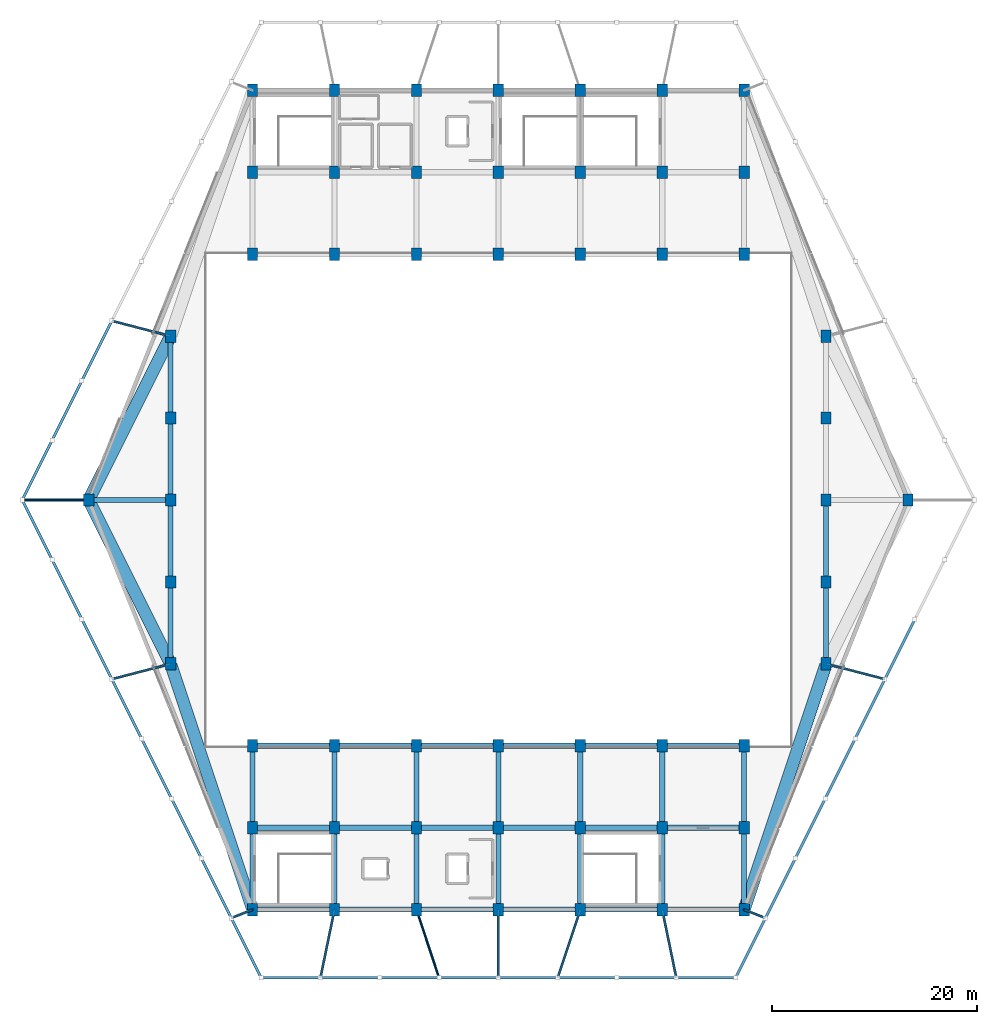
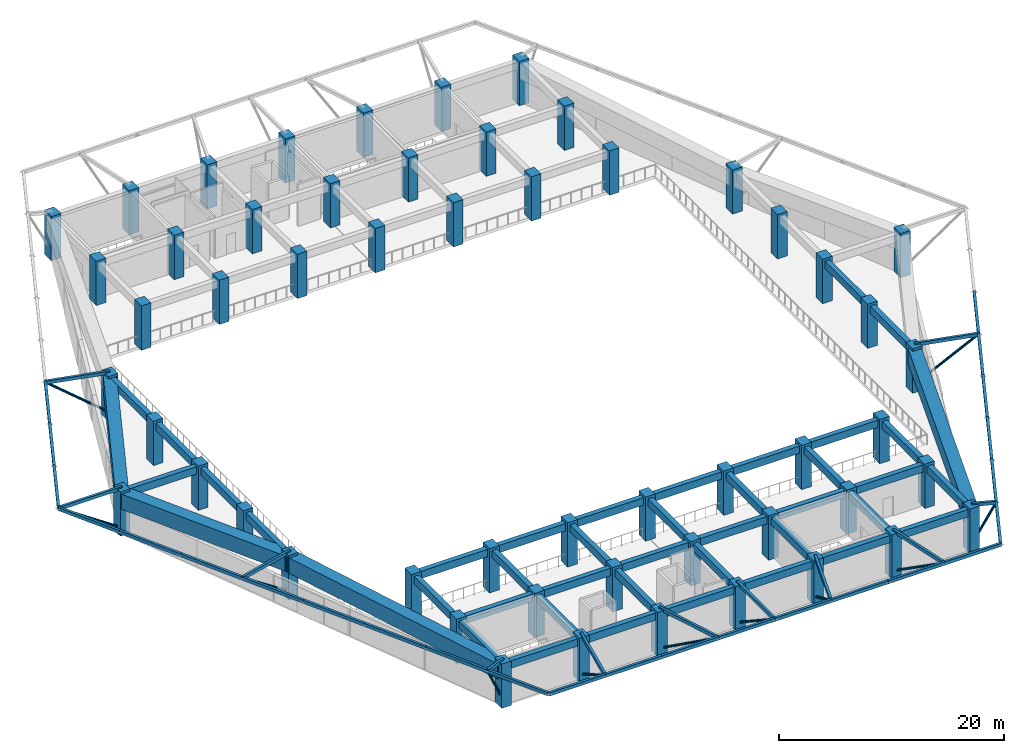
# One storey, part 1 of 9: 54 columns, 47 members, 43 beams.
"""IFC4 building model written with IfcOpenShell, lengths in metres."""

from ifc_helpers import new_model, si_unit, direction, frame, origin, origin_2d, place, context, subcontext, project, spatial, rectangle, hollow_rectangle, hollow_circle, extrude, material, material_profile, profile_set, type_object, element, save


model = new_model("IFC4")

# Units and contexts
model_context = context("Model", 3, precision=1e-05, world=origin(), true_north=direction((0.0, 1.0)))
body_context = subcontext(model_context, "Body", "Model", "MODEL_VIEW")
ifc_project = project(units=[si_unit("LENGTHUNIT", "METRE"), si_unit("AREAUNIT", "SQUARE_METRE"), si_unit("VOLUMEUNIT", "CUBIC_METRE"), si_unit("PLANEANGLEUNIT", "RADIAN"), si_unit("MASSUNIT", "GRAM", prefix="KILO")], contexts=[model_context])

# Site, building, storey
site_placement = place(None, origin())
site = spatial("IfcSite", under=ifc_project, at=site_placement, CompositionType="ELEMENT")
building_placement = place(site_placement, origin())
building = spatial("IfcBuilding", under=site, at=building_placement, Name="Tazarka Park Arena", CompositionType="ELEMENT")
storey_placement = place(building_placement, frame((0.0, 0.0, 24.60009765625)))
storey = spatial("IfcBuildingStorey", under=building, at=storey_placement, Name="L05", CompositionType="ELEMENT", Elevation=24.60009765625)

# Columns
ifc_material_1 = material(Name="Concrete C50/60", Category="concrete")
ifc_material_profile_1 = material_profile(ifc_material_1, rectangle(XDim=1.0, YDim=1.199951171875, at=origin_2d()), Name="Concrete C50/60")
ifc_profile_set_1 = profile_set([ifc_material_profile_1], Name="Concrete C50/60")
column_type_1 = type_object("IfcColumnType", Name="COL-C-04", PredefinedType="COLUMN", material=ifc_profile_set_1)
for number, where, z_axis, x_axis, name in (
    (1, (72.0, 32.0, 0.0), (0.0, 0.0, 1.0), (1.0, 0.0, 0.0), "CLM-L05-09-04"),
    (2, (72.0, 96.0, 0.0), (0.0, 0.0, 1.0), (1.0, 0.0, 0.0), "CLM-L05-09-12"),
    (3, (80.0, 32.0, 0.0), (0.0, 0.0, 1.0), (1.0, 0.0, 0.0), "CLM-L05-10-04"),
    (4, (80.0, 96.0, 0.0), (0.0, 0.0, 1.0), (1.0, 0.0, 0.0), "CLM-L05-10-12"),
    (5, (88.0, 32.0, 0.0), (0.0, 0.0, 1.0), (1.0, 0.0, 0.0), "CLM-L05-11-04"),
    (6, (88.0, 96.0, 0.0), (0.0, 0.0, 1.0), (1.0, 0.0, 0.0), "CLM-L05-11-12"),
    (7, (96.0, 32.0, 0.0), (0.0, 0.0, 1.0), (1.0, 0.0, 0.0), "CLM-L05-12-04"),
    (8, (96.0, 96.0, 0.0), (0.0, 0.0, 1.0), (1.0, 0.0, 0.0), "CLM-L05-12-12"),
    (9, (104.0, 32.0, 0.0), (0.0, 0.0, 1.0), (1.0, 0.0, 0.0), "CLM-L05-13-04"),
    (10, (104.0, 96.0, 0.0), (0.0, 0.0, 1.0), (1.0, 0.0, 0.0), "CLM-L05-13-12"),
):
    element("IfcColumn", number, at=place(storey_placement, frame(where, z_axis=z_axis, x_axis=x_axis)), inside=storey, type_object=column_type_1, Name=name, PredefinedType="COLUMN", context=body_context, shape_type="SweptSolid", body=[
        extrude(rectangle(XDim=1.0, YDim=1.199951171875, at=origin_2d()), origin(), (0.0, 0.0, 1.0), 4.7998046875),
    ])
ifc_material_2 = material(Name="Concrete C50/60", Category="concrete")
ifc_material_profile_2 = material_profile(ifc_material_2, rectangle(XDim=1.0, YDim=1.199951171875, at=origin_2d()), Name="Concrete C50/60")
ifc_profile_set_2 = profile_set([ifc_material_profile_2], Name="Concrete C50/60")
column_type_2 = type_object("IfcColumnType", Name="COL-C-07", PredefinedType="COLUMN", material=ifc_profile_set_2)
for number, where, z_axis, x_axis, name in (
    (11, (48.0, 64.0, 0.0), (0.0, 0.0, 1.0), (1.0, 0.0, 0.0), "CLM-L05-06-08"),
    (12, (56.0, 48.0, 0.0), (0.0, 0.0, 1.0), (1.0, 0.0, 0.0), "CLM-L05-07-06"),
    (13, (56.0, 56.0, 0.0), (0.0, 0.0, 1.0), (1.0, 0.0, 0.0), "CLM-L05-07-07"),
    (14, (56.0, 64.0, 0.0), (0.0, 0.0, 1.0), (1.0, 0.0, 0.0), "CLM-L05-07-08"),
    (15, (56.0, 72.0, 0.0), (0.0, 0.0, 1.0), (1.0, 0.0, 0.0), "CLM-L05-07-09"),
    (16, (56.0, 80.0, 0.0), (0.0, 0.0, 1.0), (1.0, 0.0, 0.0), "CLM-L05-07-10"),
    (17, (64.0, 24.0, 0.0), (0.0, 0.0, 1.0), (1.0, 0.0, 0.0), "CLM-L05-08-03"),
    (18, (64.0, 32.0, 0.0), (0.0, 0.0, 1.0), (1.0, 0.0, 0.0), "CLM-L05-08-04"),
    (19, (64.0, 40.0, 0.0), (0.0, 0.0, 1.0), (1.0, 0.0, 0.0), "CLM-L05-08-05"),
    (20, (64.0, 88.0, 0.0), (0.0, 0.0, 1.0), (1.0, 0.0, 0.0), "CLM-L05-08-11"),
    (21, (64.0, 96.0, 0.0), (0.0, 0.0, 1.0), (1.0, 0.0, 0.0), "CLM-L05-08-12"),
    (22, (64.0, 104.0, 0.0), (0.0, 0.0, 1.0), (1.0, 0.0, 0.0), "CLM-L05-08-13"),
    (23, (72.0, 24.0, 0.0), (0.0, 0.0, 1.0), (1.0, 0.0, 0.0), "CLM-L05-09-03"),
    (24, (72.0, 40.0, 0.0), (0.0, 0.0, 1.0), (1.0, 0.0, 0.0), "CLM-L05-09-05"),
    (25, (72.0, 88.0, 0.0), (0.0, 0.0, 1.0), (1.0, 0.0, 0.0), "CLM-L05-09-11"),
    (26, (72.0, 104.0, 0.0), (0.0, 0.0, 1.0), (1.0, 0.0, 0.0), "CLM-L05-09-13"),
    (27, (80.0, 24.0, 0.0), (0.0, 0.0, 1.0), (1.0, 0.0, 0.0), "CLM-L05-10-03"),
    (28, (80.0, 40.0, 0.0), (0.0, 0.0, 1.0), (1.0, 0.0, 0.0), "CLM-L05-10-05"),
    (29, (80.0, 88.0, 0.0), (0.0, 0.0, 1.0), (1.0, 0.0, 0.0), "CLM-L05-10-11"),
    (30, (80.0, 104.0, 0.0), (0.0, 0.0, 1.0), (1.0, 0.0, 0.0), "CLM-L05-10-13"),
    (31, (88.0, 24.0, 0.0), (0.0, 0.0, 1.0), (1.0, 0.0, 0.0), "CLM-L05-11-03"),
    (32, (88.0, 40.0, 0.0), (0.0, 0.0, 1.0), (1.0, 0.0, 0.0), "CLM-L05-11-05"),
    (33, (88.0, 88.0, 0.0), (0.0, 0.0, 1.0), (1.0, 0.0, 0.0), "CLM-L05-11-11"),
    (34, (88.0, 104.0, 0.0), (0.0, 0.0, 1.0), (1.0, 0.0, 0.0), "CLM-L05-11-13"),
    (35, (96.0, 24.0, 0.0), (0.0, 0.0, 1.0), (1.0, 0.0, 0.0), "CLM-L05-12-03"),
    (36, (96.0, 40.0, 0.0), (0.0, 0.0, 1.0), (1.0, 0.0, 0.0), "CLM-L05-12-05"),
    (37, (96.0, 88.0, 0.0), (0.0, 0.0, 1.0), (1.0, 0.0, 0.0), "CLM-L05-12-11"),
    (38, (96.0, 104.0, 0.0), (0.0, 0.0, 1.0), (1.0, 0.0, 0.0), "CLM-L05-12-13"),
    (39, (104.0, 24.0, 0.0), (0.0, 0.0, 1.0), (1.0, 0.0, 0.0), "CLM-L05-13-03"),
    (40, (104.0, 40.0, 0.0), (0.0, 0.0, 1.0), (1.0, 0.0, 0.0), "CLM-L05-13-05"),
    (41, (104.0, 88.0, 0.0), (0.0, 0.0, 1.0), (1.0, 0.0, 0.0), "CLM-L05-13-11"),
    (42, (104.0, 104.0, 0.0), (0.0, 0.0, 1.0), (1.0, 0.0, 0.0), "CLM-L05-13-13"),
    (43, (112.0, 24.0, 0.0), (0.0, 0.0, 1.0), (1.0, 0.0, 0.0), "CLM-L05-14-03"),
    (44, (112.0, 32.0, 0.0), (0.0, 0.0, 1.0), (1.0, 0.0, 0.0), "CLM-L05-14-04"),
    (45, (112.0, 40.0, 0.0), (0.0, 0.0, 1.0), (1.0, 0.0, 0.0), "CLM-L05-14-05"),
    (46, (112.0, 88.0, 0.0), (0.0, 0.0, 1.0), (1.0, 0.0, 0.0), "CLM-L05-14-11"),
    (47, (112.0, 96.0, 0.0), (0.0, 0.0, 1.0), (1.0, 0.0, 0.0), "CLM-L05-14-12"),
    (48, (112.0, 104.0, 0.0), (0.0, 0.0, 1.0), (1.0, 0.0, 0.0), "CLM-L05-14-13"),
    (49, (120.0, 48.0, 0.0), (0.0, 0.0, 1.0), (1.0, 0.0, 0.0), "CLM-L05-15-06"),
    (50, (120.0, 56.0, 0.0), (0.0, 0.0, 1.0), (1.0, 0.0, 0.0), "CLM-L05-15-07"),
    (51, (120.0, 64.0, 0.0), (0.0, 0.0, 1.0), (1.0, 0.0, 0.0), "CLM-L05-15-08"),
    (52, (120.0, 72.0, 0.0), (0.0, 0.0, 1.0), (1.0, 0.0, 0.0), "CLM-L05-15-09"),
    (53, (120.0, 80.0, 0.0), (0.0, 0.0, 1.0), (1.0, 0.0, 0.0), "CLM-L05-15-10"),
    (54, (128.0, 64.0, 0.0), (0.0, 0.0, 1.0), (1.0, 0.0, 0.0), "CLM-L05-16-08"),
):
    element("IfcColumn", number, at=place(storey_placement, frame(where, z_axis=z_axis, x_axis=x_axis)), inside=storey, type_object=column_type_2, Name=name, PredefinedType="COLUMN", context=body_context, shape_type="SweptSolid", body=[
        extrude(rectangle(XDim=1.0, YDim=1.199951171875, at=origin_2d()), origin(), (0.0, 0.0, 1.0), 4.7998046875),
    ])

# Beams
ifc_material_3 = material(Name="Concrete C40/50", Category="concrete")
ifc_material_profile_3 = material_profile(ifc_material_3, rectangle(XDim=0.5, YDim=0.800048828125, at=origin_2d()), Name="Concrete C40/50")
ifc_profile_set_3 = profile_set([ifc_material_profile_3], Name="Concrete C40/50")
beam_type_1 = type_object("IfcBeamType", Name="BM-B-02", PredefinedType="BEAM", material=ifc_profile_set_3)
for number, where, z_axis, x_axis, name in (
    (55, (64.1201171875, 32.0, 4.1298828125), (1.0, 0.0, 0.0), (0.0, 1.0, 0.0), "GXM-L05-08-04"),
    (56, (72.0, 24.1201171875, 4.1298828125), (0.0, 1.0, 0.0), (-1.0, 0.0, 0.0), "GYM-L05-09-03"),
    (57, (72.1201171875, 32.0, 4.1298828125), (1.0, 0.0, 0.0), (0.0, 1.0, 0.0), "GXM-L05-09-04"),
    (58, (72.0, 32.1201171875, 4.1298828125), (0.0, 1.0, 0.0), (-1.0, 0.0, 0.0), "GYM-L05-09-04"),
    (59, (80.0, 24.1201171875, 4.1298828125), (0.0, 1.0, 0.0), (-1.0, 0.0, 0.0), "GYM-L05-10-03"),
    (60, (80.1201171875, 32.0, 4.1298828125), (1.0, 0.0, 0.0), (0.0, 1.0, 0.0), "GXM-L05-10-04"),
    (61, (80.0, 32.1201171875, 4.1298828125), (0.0, 1.0, 0.0), (-1.0, 0.0, 0.0), "GYM-L05-10-04"),
    (62, (88.0, 24.1201171875, 4.1298828125), (0.0, 1.0, 0.0), (-1.0, 0.0, 0.0), "GYM-L05-11-03"),
    (63, (88.1201171875, 32.0, 4.1298828125), (1.0, 0.0, 0.0), (0.0, 1.0, 0.0), "GXM-L05-11-04"),
    (64, (88.0, 32.1201171875, 4.1298828125), (0.0, 1.0, 0.0), (-1.0, 0.0, 0.0), "GYM-L05-11-04"),
    (65, (96.0, 24.1201171875, 4.1298828125), (0.0, 1.0, 0.0), (-1.0, 0.0, 0.0), "GYM-L05-12-03"),
    (66, (96.1201171875, 32.0, 4.1298828125), (1.0, 0.0, 0.0), (0.0, 1.0, 0.0), "GXM-L05-12-04"),
    (67, (96.0, 32.1201171875, 4.1298828125), (0.0, 1.0, 0.0), (-1.0, 0.0, 0.0), "GYM-L05-12-04"),
    (68, (104.0, 24.1201171875, 4.1298828125), (0.0, 1.0, 0.0), (-1.0, 0.0, 0.0), "GYM-L05-13-03"),
    (69, (104.1201171875, 32.0, 4.1298828125), (1.0, 0.0, 0.0), (0.0, 1.0, 0.0), "GXM-L05-13-04"),
    (70, (104.0, 32.1201171875, 4.1298828125), (0.0, 1.0, 0.0), (-1.0, 0.0, 0.0), "GYM-L05-13-04"),
):
    element("IfcBeam", number, at=place(storey_placement, frame(where, z_axis=z_axis, x_axis=x_axis)), inside=storey, type_object=beam_type_1, Name=name, PredefinedType="BEAM", context=body_context, shape_type="SweptSolid", body=[
        extrude(rectangle(XDim=0.5, YDim=0.800048828125, at=origin_2d()), origin(), (0.0, 0.0, 1.0), 7.759765625),
    ])
ifc_material_4 = material(Name="Concrete C50/60", Category="concrete")
ifc_material_profile_4 = material_profile(ifc_material_4, rectangle(XDim=1.199951171875, YDim=1.64990234375, at=origin_2d()), Name="Concrete C50/60")
ifc_profile_set_4 = profile_set([ifc_material_profile_4], Name="Concrete C50/60")
beam_type_2 = type_object("IfcBeamType", Name="BM-RNG-02", PredefinedType="BEAM", material=ifc_profile_set_4)
beam_1_placement = place(storey_placement, frame((112.037841796875, 24.11376953125, 3.704833984375), z_axis=(0.316233611724, 0.948681349461, 0.0), x_axis=(-0.948681349461, 0.316233611724, 0.0)))
element("IfcBeam", 71, at=beam_1_placement, inside=storey, type_object=beam_type_2, Name="RING BEAM RNG-02-L05-07", PredefinedType="BEAM", context=body_context, shape_type="SweptSolid", body=[
    extrude(rectangle(XDim=1.199951171875, YDim=1.64990234375, at=origin_2d()), origin(), (0.0, 0.0, 1.0), 25.058349609375),
])
for number, where, z_axis, x_axis, name in (
    (72, (55.9462890625, 79.892578125, 3.704833984375), (-0.4472135955, -0.894427191, 0.0), (0.894427191, -0.4472135955, 0.0), "RING BEAM RNG-02-L05-18"),
    (73, (48.0537109375, 63.892578125, 3.704833984375), (0.4472135955, -0.894427191, 0.0), (0.894427191, 0.4472135955, 0.0), "RING BEAM RNG-02-L05-19"),
):
    element("IfcBeam", number, at=place(storey_placement, frame(where, z_axis=z_axis, x_axis=x_axis)), inside=storey, type_object=beam_type_2, Name=name, PredefinedType="BEAM", context=body_context, shape_type="SweptSolid", body=[
        extrude(rectangle(XDim=1.199951171875, YDim=1.64990234375, at=origin_2d()), origin(), (0.0, 0.0, 1.0), 17.6484375),
    ])
beam_2_placement = place(storey_placement, frame((56.037841796875, 47.88623046875, 3.704833984375), z_axis=(0.316233611724, -0.948681349461, 0.0), x_axis=(0.948681349461, 0.316233611724, 0.0)))
element("IfcBeam", 74, at=beam_2_placement, inside=storey, type_object=beam_type_2, Name="RING BEAM RNG-02-L05-20", PredefinedType="BEAM", context=body_context, shape_type="SweptSolid", body=[
    extrude(rectangle(XDim=1.199951171875, YDim=1.64990234375, at=origin_2d()), origin(), (0.0, 0.0, 1.0), 25.058349609375),
])
ifc_material_5 = material(Name="Concrete C40/50", Category="concrete")
ifc_material_profile_5 = material_profile(ifc_material_5, rectangle(XDim=0.5, YDim=0.800048828125, at=origin_2d()), Name="Concrete C40/50")
ifc_profile_set_5 = profile_set([ifc_material_profile_5], Name="Concrete C40/50")
beam_type_3 = type_object("IfcBeamType", Name="BM-SP-01", PredefinedType="SPANDREL", material=ifc_profile_set_5)
for number, where, z_axis, x_axis, name in (
    (75, (48.1201171875, 64.0, 4.1298828125), (1.0, 0.0, 0.0), (0.0, 1.0, 0.0), "GXM-L05-06-08"),
    (76, (56.0, 48.1201171875, 4.1298828125), (0.0, 1.0, 0.0), (-1.0, 0.0, 0.0), "GYM-L05-07-06"),
    (77, (56.0, 56.1201171875, 4.1298828125), (0.0, 1.0, 0.0), (-1.0, 0.0, 0.0), "GYM-L05-07-07"),
    (78, (56.0, 64.1201171875, 4.1298828125), (0.0, 1.0, 0.0), (-1.0, 0.0, 0.0), "GYM-L05-07-08"),
    (79, (56.0, 72.1201171875, 4.1298828125), (0.0, 1.0, 0.0), (-1.0, 0.0, 0.0), "GYM-L05-07-09"),
    (80, (64.1201171875, 24.0, 4.1298828125), (1.0, 0.0, 0.0), (0.0, 1.0, 0.0), "GXM-L05-08-03"),
    (81, (64.0, 24.1201171875, 4.1298828125), (0.0, 1.0, 0.0), (-1.0, 0.0, 0.0), "GYM-L05-08-03"),
    (82, (64.0, 32.1201171875, 4.1298828125), (0.0, 1.0, 0.0), (-1.0, 0.0, 0.0), "GYM-L05-08-04"),
    (83, (64.1201171875, 40.0, 4.1298828125), (1.0, 0.0, 0.0), (0.0, 1.0, 0.0), "GXM-L05-08-05"),
    (84, (72.1201171875, 24.0, 4.1298828125), (1.0, 0.0, 0.0), (0.0, 1.0, 0.0), "GXM-L05-09-03"),
    (85, (72.1201171875, 40.0, 4.1298828125), (1.0, 0.0, 0.0), (0.0, 1.0, 0.0), "GXM-L05-09-05"),
    (86, (80.1201171875, 24.0, 4.1298828125), (1.0, 0.0, 0.0), (0.0, 1.0, 0.0), "GXM-L05-10-03"),
    (87, (80.1201171875, 40.0, 4.1298828125), (1.0, 0.0, 0.0), (0.0, 1.0, 0.0), "GXM-L05-10-05"),
    (88, (88.1201171875, 24.0, 4.1298828125), (1.0, 0.0, 0.0), (0.0, 1.0, 0.0), "GXM-L05-11-03"),
    (89, (88.1201171875, 40.0, 4.1298828125), (1.0, 0.0, 0.0), (0.0, 1.0, 0.0), "GXM-L05-11-05"),
    (90, (96.1201171875, 24.0, 4.1298828125), (1.0, 0.0, 0.0), (0.0, 1.0, 0.0), "GXM-L05-12-03"),
    (91, (96.1201171875, 40.0, 4.1298828125), (1.0, 0.0, 0.0), (0.0, 1.0, 0.0), "GXM-L05-12-05"),
    (92, (104.1201171875, 24.0, 4.1298828125), (1.0, 0.0, 0.0), (0.0, 1.0, 0.0), "GXM-L05-13-03"),
    (93, (104.1201171875, 40.0, 4.1298828125), (1.0, 0.0, 0.0), (0.0, 1.0, 0.0), "GXM-L05-13-05"),
    (94, (112.0, 24.1201171875, 4.1298828125), (0.0, 1.0, 0.0), (-1.0, 0.0, 0.0), "GYM-L05-14-03"),
    (95, (112.0, 32.1201171875, 4.1298828125), (0.0, 1.0, 0.0), (-1.0, 0.0, 0.0), "GYM-L05-14-04"),
    (96, (120.0, 48.1201171875, 4.1298828125), (0.0, 1.0, 0.0), (-1.0, 0.0, 0.0), "GYM-L05-15-06"),
    (97, (120.0, 56.1201171875, 4.1298828125), (0.0, 1.0, 0.0), (-1.0, 0.0, 0.0), "GYM-L05-15-07"),
):
    element("IfcBeam", number, at=place(storey_placement, frame(where, z_axis=z_axis, x_axis=x_axis)), inside=storey, type_object=beam_type_3, Name=name, PredefinedType="SPANDREL", context=body_context, shape_type="SweptSolid", body=[
        extrude(rectangle(XDim=0.5, YDim=0.800048828125, at=origin_2d()), origin(), (0.0, 0.0, 1.0), 7.759765625),
    ])

# Members
ifc_material_6 = material(Name="Steel S355", Category="steel")
ifc_material_profile_6 = material_profile(ifc_material_6, hollow_circle(Radius=0.122314453125, WallThickness=0.012451171875, at=origin_2d()), Name="Steel S355")
ifc_profile_set_6 = profile_set([ifc_material_profile_6], Name="Steel S355")
member_type_1 = type_object("IfcMemberType", Name="MEM-BR-05", PredefinedType="BRACE", material=ifc_profile_set_6)
member_1_placement = place(storey_placement, frame((64.0, 24.0, 0.39990234375), z_axis=(-0.423067237342, -0.166228037862, 0.890720131195), x_axis=(0.365696304719, -0.930734233127, 0.0)))
element("IfcMember", 98, at=member_1_placement, inside=storey, type_object=member_type_1, Name="FTK-00", PredefinedType="BRACE", context=body_context, shape_type="SweptSolid", body=[
    extrude(hollow_circle(Radius=0.122314453125, WallThickness=0.012451171875, at=origin_2d()), origin(), (0.0, 0.0, 1.0), 4.917236328125),
])
member_2_placement = place(storey_placement, frame((72.0, 24.0, 0.39990234375), z_axis=(-0.170006896671, -0.822928869006, 0.54211228693), x_axis=(0.979320406863, -0.2023154485, 0.0)))
element("IfcMember", 99, at=member_2_placement, inside=storey, type_object=member_type_1, Name="FTK-01", PredefinedType="BRACE", context=body_context, shape_type="SweptSolid", body=[
    extrude(hollow_circle(Radius=0.122314453125, WallThickness=0.012451171875, at=origin_2d()), origin(), (0.0, 0.0, 1.0), 8.079345703125),
])
member_3_placement = place(storey_placement, frame((80.0, 24.0, 0.39990234375), z_axis=(0.2673250352, -0.804693565117, 0.530099605559), x_axis=(0.949003407996, 0.315265811043, 0.0)))
element("IfcMember", 100, at=member_3_placement, inside=storey, type_object=member_type_1, Name="FTK-02", PredefinedType="BRACE", context=body_context, shape_type="SweptSolid", body=[
    extrude(hollow_circle(Radius=0.122314453125, WallThickness=0.012451171875, at=origin_2d()), origin(), (0.0, 0.0, 1.0), 8.262451171875),
])
member_4_placement = place(storey_placement, frame((88.0, 24.0, 0.39990234375), z_axis=(0.0, -0.835085312319, 0.550120460581), x_axis=(1.0, 0.0, 0.0)))
element("IfcMember", 101, at=member_4_placement, inside=storey, type_object=member_type_1, Name="FTK-03", PredefinedType="BRACE", context=body_context, shape_type="SweptSolid", body=[
    extrude(hollow_circle(Radius=0.122314453125, WallThickness=0.012451171875, at=origin_2d()), origin(), (0.0, 0.0, 1.0), 7.961669921875),
])
member_5_placement = place(storey_placement, frame((96.0, 24.0, 0.39990234375), z_axis=(-0.2673250352, -0.804693565117, 0.530099605559), x_axis=(0.949003407996, -0.315265811043, 0.0)))
element("IfcMember", 102, at=member_5_placement, inside=storey, type_object=member_type_1, Name="FTK-04", PredefinedType="BRACE", context=body_context, shape_type="SweptSolid", body=[
    extrude(hollow_circle(Radius=0.122314453125, WallThickness=0.012451171875, at=origin_2d()), origin(), (0.0, 0.0, 1.0), 8.262451171875),
])
member_6_placement = place(storey_placement, frame((104.0, 24.0, 0.39990234375), z_axis=(0.170006896671, -0.822928869006, 0.54211228693), x_axis=(0.979320406863, 0.2023154485, 0.0)))
element("IfcMember", 103, at=member_6_placement, inside=storey, type_object=member_type_1, Name="FTK-05", PredefinedType="BRACE", context=body_context, shape_type="SweptSolid", body=[
    extrude(hollow_circle(Radius=0.122314453125, WallThickness=0.012451171875, at=origin_2d()), origin(), (0.0, 0.0, 1.0), 8.079345703125),
])
member_7_placement = place(storey_placement, frame((112.0, 24.0, 0.39990234375), z_axis=(0.423067237342, -0.166228037862, 0.890720131195), x_axis=(0.365696304719, 0.930734233127, 0.0)))
element("IfcMember", 104, at=member_7_placement, inside=storey, type_object=member_type_1, Name="FTK-06", PredefinedType="BRACE", context=body_context, shape_type="SweptSolid", body=[
    extrude(hollow_circle(Radius=0.122314453125, WallThickness=0.012451171875, at=origin_2d()), origin(), (0.0, 0.0, 1.0), 4.917236328125),
])
for number, where, z_axis, x_axis, name in (
    (105, (120.0, 48.0, 0.39990234375), (0.778650485414, -0.202467002627, 0.593894379845), (0.251654664133, 0.967817095334, 0.0), "FTK-07"),
    (106, (56.0, 80.0, 0.39990234375), (-0.778650485414, 0.202467002627, 0.593894379845), (-0.251654664133, -0.967817095334, 0.0), "FTK-17"),
):
    element("IfcMember", number, at=place(storey_placement, frame(where, z_axis=z_axis, x_axis=x_axis)), inside=storey, type_object=member_type_1, Name=name, PredefinedType="BRACE", context=body_context, shape_type="SweptSolid", body=[
        extrude(hollow_circle(Radius=0.122314453125, WallThickness=0.012451171875, at=origin_2d()), origin(), (0.0, 0.0, 1.0), 7.374755859375),
    ])
member_8_placement = place(storey_placement, frame((48.0, 64.0, 0.39990234375), z_axis=(-0.828860604179, 0.0, 0.559455180367), x_axis=(0.0, -1.0, 0.0)))
element("IfcMember", 107, at=member_8_placement, inside=storey, type_object=member_type_1, Name="FTK-18", PredefinedType="BRACE", context=body_context, shape_type="SweptSolid", body=[
    extrude(hollow_circle(Radius=0.122314453125, WallThickness=0.012451171875, at=origin_2d()), origin(), (0.0, 0.0, 1.0), 7.828857421875),
])
member_9_placement = place(storey_placement, frame((56.0, 48.0, 0.39990234375), z_axis=(-0.778650485414, -0.202467002627, 0.593894379845), x_axis=(0.251654664133, -0.967817095334, 0.0)))
element("IfcMember", 108, at=member_9_placement, inside=storey, type_object=member_type_1, Name="FTK-19", PredefinedType="BRACE", context=body_context, shape_type="SweptSolid", body=[
    extrude(hollow_circle(Radius=0.122314453125, WallThickness=0.012451171875, at=origin_2d()), origin(), (0.0, 0.0, 1.0), 7.374755859375),
])
ifc_material_7 = material(Name="Steel S460", Category="steel")
ifc_material_profile_7 = material_profile(ifc_material_7, hollow_rectangle(XDim=0.25, YDim=0.35009765625, WallThickness=0.012451171875, at=origin_2d()), Name="Steel S460")
ifc_profile_set_7 = profile_set([ifc_material_profile_7], Name="Steel S460")
member_type_2 = type_object("IfcMemberType", Name="MEM-SR-04", PredefinedType="STRUT", material=ifc_profile_set_7)
member_10_placement = place(storey_placement, frame((64.835205078125, 17.351318359375, 4.77978515625), z_axis=(1.0, 0.0, 0.0), x_axis=(0.0, 1.0, 0.0)))
element("IfcMember", 109, at=member_10_placement, inside=storey, type_object=member_type_2, Name="GMT-00", PredefinedType="STRUT", context=body_context, shape_type="SweptSolid", body=[
    extrude(hollow_rectangle(XDim=0.25, YDim=0.35009765625, WallThickness=0.012451171875, at=origin_2d()), origin(), (0.0, 0.0, 1.0), 5.791259765625),
])
member_11_placement = place(storey_placement, frame((70.62646484375, 17.351318359375, 4.77978515625), z_axis=(1.0, 0.0, 0.0), x_axis=(0.0, 1.0, 0.0)))
element("IfcMember", 110, at=member_11_placement, inside=storey, type_object=member_type_2, Name="GMT-01", PredefinedType="STRUT", context=body_context, shape_type="SweptSolid", body=[
    extrude(hollow_rectangle(XDim=0.25, YDim=0.35009765625, WallThickness=0.012451171875, at=origin_2d()), origin(), (0.0, 0.0, 1.0), 5.791015625),
])
for number, where, z_axis, x_axis, name in (
    (111, (76.41748046875, 17.351318359375, 4.77978515625), (1.0, 0.0, 0.0), (0.0, 1.0, 0.0), "GMT-02"),
    (112, (82.208740234375, 17.351318359375, 4.77978515625), (1.0, 0.0, 0.0), (0.0, 1.0, 0.0), "GMT-03"),
    (113, (88.0, 17.351318359375, 4.77978515625), (1.0, 0.0, 0.0), (0.0, 1.0, 0.0), "GMT-04"),
    (114, (93.791259765625, 17.351318359375, 4.77978515625), (1.0, 0.0, 0.0), (0.0, 1.0, 0.0), "GMT-05"),
):
    element("IfcMember", number, at=place(storey_placement, frame(where, z_axis=z_axis, x_axis=x_axis)), inside=storey, type_object=member_type_2, Name=name, PredefinedType="STRUT", context=body_context, shape_type="SweptSolid", body=[
        extrude(hollow_rectangle(XDim=0.25, YDim=0.35009765625, WallThickness=0.012451171875, at=origin_2d()), origin(), (0.0, 0.0, 1.0), 5.791259765625),
    ])
member_12_placement = place(storey_placement, frame((99.58251953125, 17.351318359375, 4.77978515625), z_axis=(1.0, 0.0, 0.0), x_axis=(0.0, 1.0, 0.0)))
element("IfcMember", 115, at=member_12_placement, inside=storey, type_object=member_type_2, Name="GMT-06", PredefinedType="STRUT", context=body_context, shape_type="SweptSolid", body=[
    extrude(hollow_rectangle(XDim=0.25, YDim=0.35009765625, WallThickness=0.012451171875, at=origin_2d()), origin(), (0.0, 0.0, 1.0), 5.791015625),
])
member_13_placement = place(storey_placement, frame((105.37353515625, 17.351318359375, 4.77978515625), z_axis=(1.0, 0.0, 0.0), x_axis=(0.0, 1.0, 0.0)))
element("IfcMember", 116, at=member_13_placement, inside=storey, type_object=member_type_2, Name="GMT-07", PredefinedType="STRUT", context=body_context, shape_type="SweptSolid", body=[
    extrude(hollow_rectangle(XDim=0.25, YDim=0.35009765625, WallThickness=0.012451171875, at=origin_2d()), origin(), (0.0, 0.0, 1.0), 5.791259765625),
])
member_14_placement = place(storey_placement, frame((111.164794921875, 17.351318359375, 4.77978515625), z_axis=(0.447198616418, 0.894434680384, 0.0), x_axis=(-0.894434680384, 0.447198616418, 0.0)))
element("IfcMember", 117, at=member_14_placement, inside=storey, type_object=member_type_2, Name="GMT-08", PredefinedType="STRUT", context=body_context, shape_type="SweptSolid", body=[
    extrude(hollow_rectangle(XDim=0.25, YDim=0.35009765625, WallThickness=0.012451171875, at=origin_2d()), origin(), (0.0, 0.0, 1.0), 6.51953125),
])
member_15_placement = place(storey_placement, frame((114.080322265625, 23.1826171875, 4.77978515625), z_axis=(0.4472135955, 0.894427191, 0.0), x_axis=(-0.894427191, 0.4472135955, 0.0)))
element("IfcMember", 118, at=member_15_placement, inside=storey, type_object=member_type_2, Name="GMT-09", PredefinedType="STRUT", context=body_context, shape_type="SweptSolid", body=[
    extrude(hollow_rectangle(XDim=0.25, YDim=0.35009765625, WallThickness=0.012451171875, at=origin_2d()), origin(), (0.0, 0.0, 1.0), 6.519287109375),
])
member_16_placement = place(storey_placement, frame((116.995849609375, 29.013671875, 4.77978515625), z_axis=(0.44722857546, 0.894419700863, 0.0), x_axis=(-0.894419700863, 0.44722857546, 0.0)))
element("IfcMember", 119, at=member_16_placement, inside=storey, type_object=member_type_2, Name="GMT-10", PredefinedType="STRUT", context=body_context, shape_type="SweptSolid", body=[
    extrude(hollow_rectangle(XDim=0.25, YDim=0.35009765625, WallThickness=0.012451171875, at=origin_2d()), origin(), (0.0, 0.0, 1.0), 6.51904296875),
])
member_17_placement = place(storey_placement, frame((119.911376953125, 34.844482421875, 4.77978515625), z_axis=(0.447198616418, 0.894434680384, 0.0), x_axis=(-0.894434680384, 0.447198616418, 0.0)))
element("IfcMember", 120, at=member_17_placement, inside=storey, type_object=member_type_2, Name="GMT-11", PredefinedType="STRUT", context=body_context, shape_type="SweptSolid", body=[
    extrude(hollow_rectangle(XDim=0.25, YDim=0.35009765625, WallThickness=0.012451171875, at=origin_2d()), origin(), (0.0, 0.0, 1.0), 6.51953125),
])
for number, where, z_axis, x_axis, name in (
    (121, (122.826904296875, 40.67578125, 4.77978515625), (0.4472135955, 0.894427191, 0.0), (-0.894427191, 0.4472135955, 0.0), "GMT-12"),
    (122, (125.742431640625, 46.5068359375, 4.77978515625), (0.4472135955, 0.894427191, 0.0), (-0.894427191, 0.4472135955, 0.0), "GMT-13"),
    (123, (50.257568359375, 81.4931640625, 4.77978515625), (-0.4472135955, -0.894427191, 0.0), (0.894427191, -0.4472135955, 0.0), "GMT-37"),
    (124, (47.342041015625, 75.662109375, 4.77978515625), (-0.4472135955, -0.894427191, 0.0), (0.894427191, -0.4472135955, 0.0), "GMT-38"),
    (125, (44.426513671875, 69.8310546875, 4.77978515625), (-0.4472135955, -0.894427191, 0.0), (0.894427191, -0.4472135955, 0.0), "GMT-39"),
    (126, (41.510986328125, 64.0, 4.77978515625), (0.4472135955, -0.894427191, 0.0), (0.894427191, 0.4472135955, 0.0), "GMT-40"),
    (127, (44.426513671875, 58.1689453125, 4.77978515625), (0.4472135955, -0.894427191, 0.0), (0.894427191, 0.4472135955, 0.0), "GMT-41"),
    (128, (47.342041015625, 52.337890625, 4.77978515625), (0.4472135955, -0.894427191, 0.0), (0.894427191, 0.4472135955, 0.0), "GMT-42"),
    (129, (50.257568359375, 46.5068359375, 4.77978515625), (0.4472135955, -0.894427191, 0.0), (0.894427191, 0.4472135955, 0.0), "GMT-43"),
):
    element("IfcMember", number, at=place(storey_placement, frame(where, z_axis=z_axis, x_axis=x_axis)), inside=storey, type_object=member_type_2, Name=name, PredefinedType="STRUT", context=body_context, shape_type="SweptSolid", body=[
        extrude(hollow_rectangle(XDim=0.25, YDim=0.35009765625, WallThickness=0.012451171875, at=origin_2d()), origin(), (0.0, 0.0, 1.0), 6.519287109375),
    ])
member_18_placement = place(storey_placement, frame((53.173095703125, 40.67578125, 4.77978515625), z_axis=(0.447198616418, -0.894434680384, 0.0), x_axis=(0.894434680384, 0.447198616418, 0.0)))
element("IfcMember", 130, at=member_18_placement, inside=storey, type_object=member_type_2, Name="GMT-44", PredefinedType="STRUT", context=body_context, shape_type="SweptSolid", body=[
    extrude(hollow_rectangle(XDim=0.25, YDim=0.35009765625, WallThickness=0.012451171875, at=origin_2d()), origin(), (0.0, 0.0, 1.0), 6.51953125),
])
member_19_placement = place(storey_placement, frame((56.088623046875, 34.844482421875, 4.77978515625), z_axis=(0.4472135955, -0.894427191, 0.0), x_axis=(0.894427191, 0.4472135955, 0.0)))
element("IfcMember", 131, at=member_19_placement, inside=storey, type_object=member_type_2, Name="GMT-45", PredefinedType="STRUT", context=body_context, shape_type="SweptSolid", body=[
    extrude(hollow_rectangle(XDim=0.25, YDim=0.35009765625, WallThickness=0.012451171875, at=origin_2d()), origin(), (0.0, 0.0, 1.0), 6.519287109375),
])
member_20_placement = place(storey_placement, frame((59.004150390625, 29.013427734375, 4.77978515625), z_axis=(0.44722857546, -0.894419700863, 0.0), x_axis=(0.894419700863, 0.44722857546, 0.0)))
element("IfcMember", 132, at=member_20_placement, inside=storey, type_object=member_type_2, Name="GMT-46", PredefinedType="STRUT", context=body_context, shape_type="SweptSolid", body=[
    extrude(hollow_rectangle(XDim=0.25, YDim=0.35009765625, WallThickness=0.012451171875, at=origin_2d()), origin(), (0.0, 0.0, 1.0), 6.51904296875),
])
member_21_placement = place(storey_placement, frame((61.919677734375, 23.1826171875, 4.77978515625), z_axis=(0.447198616418, -0.894434680384, 0.0), x_axis=(0.894434680384, 0.447198616418, 0.0)))
element("IfcMember", 133, at=member_21_placement, inside=storey, type_object=member_type_2, Name="GMT-47", PredefinedType="STRUT", context=body_context, shape_type="SweptSolid", body=[
    extrude(hollow_rectangle(XDim=0.25, YDim=0.35009765625, WallThickness=0.012451171875, at=origin_2d()), origin(), (0.0, 0.0, 1.0), 6.51953125),
])
member_22_placement = place(storey_placement, frame((64.0, 24.0, 4.77978515625), z_axis=(-0.930734233127, -0.365696304719, 0.0), x_axis=(0.365696304719, -0.930734233127, 0.0)))
element("IfcMember", 134, at=member_22_placement, inside=storey, type_object=member_type_2, Name="FTT-00", PredefinedType="STRUT", context=body_context, shape_type="SweptSolid", body=[
    extrude(hollow_rectangle(XDim=0.25, YDim=0.35009765625, WallThickness=0.012451171875, at=origin_2d()), origin(), (0.0, 0.0, 1.0), 2.235107421875),
])
member_23_placement = place(storey_placement, frame((72.0, 24.0, 4.77978515625), z_axis=(-0.2023154485, -0.979320406863, 0.0), x_axis=(0.979320406863, -0.2023154485, 0.0)))
element("IfcMember", 135, at=member_23_placement, inside=storey, type_object=member_type_2, Name="FTT-01", PredefinedType="STRUT", context=body_context, shape_type="SweptSolid", body=[
    extrude(hollow_rectangle(XDim=0.25, YDim=0.35009765625, WallThickness=0.012451171875, at=origin_2d()), origin(), (0.0, 0.0, 1.0), 6.7890625),
])
member_24_placement = place(storey_placement, frame((80.0, 24.0, 4.77978515625), z_axis=(0.315265811043, -0.949003407996, 0.0), x_axis=(0.949003407996, 0.315265811043, 0.0)))
element("IfcMember", 136, at=member_24_placement, inside=storey, type_object=member_type_2, Name="FTT-02", PredefinedType="STRUT", context=body_context, shape_type="SweptSolid", body=[
    extrude(hollow_rectangle(XDim=0.25, YDim=0.35009765625, WallThickness=0.012451171875, at=origin_2d()), origin(), (0.0, 0.0, 1.0), 7.005859375),
])
member_25_placement = place(storey_placement, frame((88.0, 24.0, 4.77978515625), z_axis=(0.0, -1.0, 0.0), x_axis=(1.0, 0.0, 0.0)))
element("IfcMember", 137, at=member_25_placement, inside=storey, type_object=member_type_2, Name="FTT-03", PredefinedType="STRUT", context=body_context, shape_type="SweptSolid", body=[
    extrude(hollow_rectangle(XDim=0.25, YDim=0.35009765625, WallThickness=0.012451171875, at=origin_2d()), origin(), (0.0, 0.0, 1.0), 6.648681640625),
])
member_26_placement = place(storey_placement, frame((96.0, 24.0, 4.77978515625), z_axis=(-0.315265811043, -0.949003407996, 0.0), x_axis=(0.949003407996, -0.315265811043, 0.0)))
element("IfcMember", 138, at=member_26_placement, inside=storey, type_object=member_type_2, Name="FTT-04", PredefinedType="STRUT", context=body_context, shape_type="SweptSolid", body=[
    extrude(hollow_rectangle(XDim=0.25, YDim=0.35009765625, WallThickness=0.012451171875, at=origin_2d()), origin(), (0.0, 0.0, 1.0), 7.005859375),
])
member_27_placement = place(storey_placement, frame((104.0, 24.0, 4.77978515625), z_axis=(0.2023154485, -0.979320406863, 0.0), x_axis=(0.979320406863, 0.2023154485, 0.0)))
element("IfcMember", 139, at=member_27_placement, inside=storey, type_object=member_type_2, Name="FTT-05", PredefinedType="STRUT", context=body_context, shape_type="SweptSolid", body=[
    extrude(hollow_rectangle(XDim=0.25, YDim=0.35009765625, WallThickness=0.012451171875, at=origin_2d()), origin(), (0.0, 0.0, 1.0), 6.7890625),
])
member_28_placement = place(storey_placement, frame((112.0, 24.0, 4.77978515625), z_axis=(0.930734233127, -0.365696304719, 0.0), x_axis=(0.365696304719, 0.930734233127, 0.0)))
element("IfcMember", 140, at=member_28_placement, inside=storey, type_object=member_type_2, Name="FTT-06", PredefinedType="STRUT", context=body_context, shape_type="SweptSolid", body=[
    extrude(hollow_rectangle(XDim=0.25, YDim=0.35009765625, WallThickness=0.012451171875, at=origin_2d()), origin(), (0.0, 0.0, 1.0), 2.235107421875),
])
for number, where, z_axis, x_axis, name in (
    (141, (120.0, 48.0, 4.77978515625), (0.967817095334, -0.251654664133, 0.0), (0.251654664133, 0.967817095334, 0.0), "FTT-07"),
    (142, (56.0, 80.0, 4.77978515625), (-0.967817095334, 0.251654664133, 0.0), (-0.251654664133, -0.967817095334, 0.0), "FTT-17"),
):
    element("IfcMember", number, at=place(storey_placement, frame(where, z_axis=z_axis, x_axis=x_axis)), inside=storey, type_object=member_type_2, Name=name, PredefinedType="STRUT", context=body_context, shape_type="SweptSolid", body=[
        extrude(hollow_rectangle(XDim=0.25, YDim=0.35009765625, WallThickness=0.012451171875, at=origin_2d()), origin(), (0.0, 0.0, 1.0), 5.933349609375),
    ])
member_29_placement = place(storey_placement, frame((48.0, 64.0, 4.77978515625), z_axis=(-1.0, 0.0, 0.0), x_axis=(0.0, -1.0, 0.0)))
element("IfcMember", 143, at=member_29_placement, inside=storey, type_object=member_type_2, Name="FTT-18", PredefinedType="STRUT", context=body_context, shape_type="SweptSolid", body=[
    extrude(hollow_rectangle(XDim=0.25, YDim=0.35009765625, WallThickness=0.012451171875, at=origin_2d()), origin(), (0.0, 0.0, 1.0), 6.489013671875),
])
member_30_placement = place(storey_placement, frame((56.0, 48.0, 4.77978515625), z_axis=(-0.967817095334, -0.251654664133, 0.0), x_axis=(0.251654664133, -0.967817095334, 0.0)))
element("IfcMember", 144, at=member_30_placement, inside=storey, type_object=member_type_2, Name="FTT-19", PredefinedType="STRUT", context=body_context, shape_type="SweptSolid", body=[
    extrude(hollow_rectangle(XDim=0.25, YDim=0.35009765625, WallThickness=0.012451171875, at=origin_2d()), origin(), (0.0, 0.0, 1.0), 5.933349609375),
])

save(model, "model.ifc")
